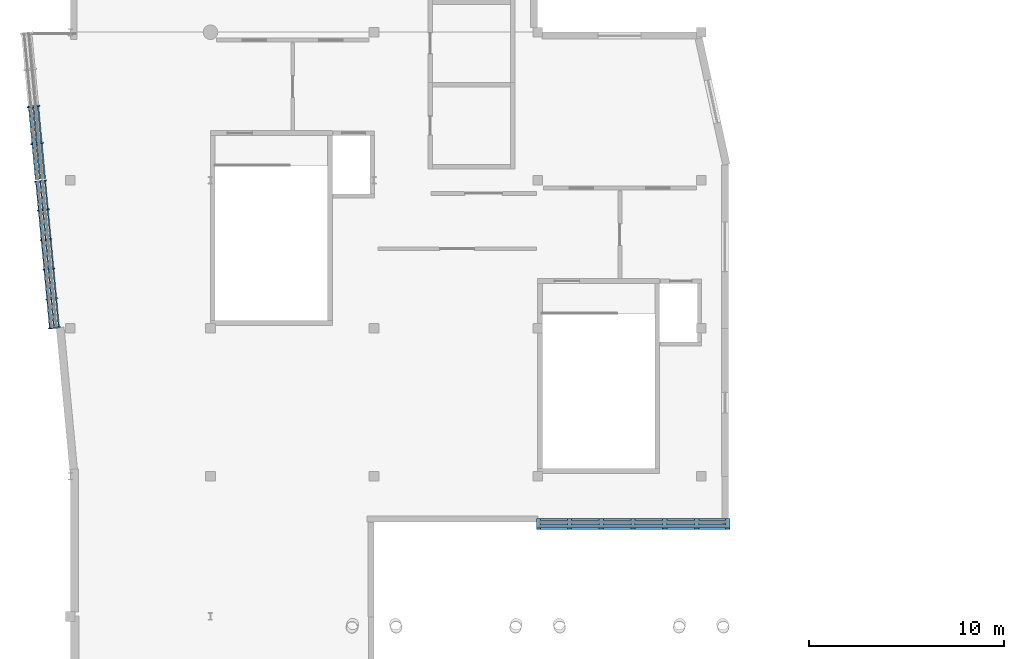
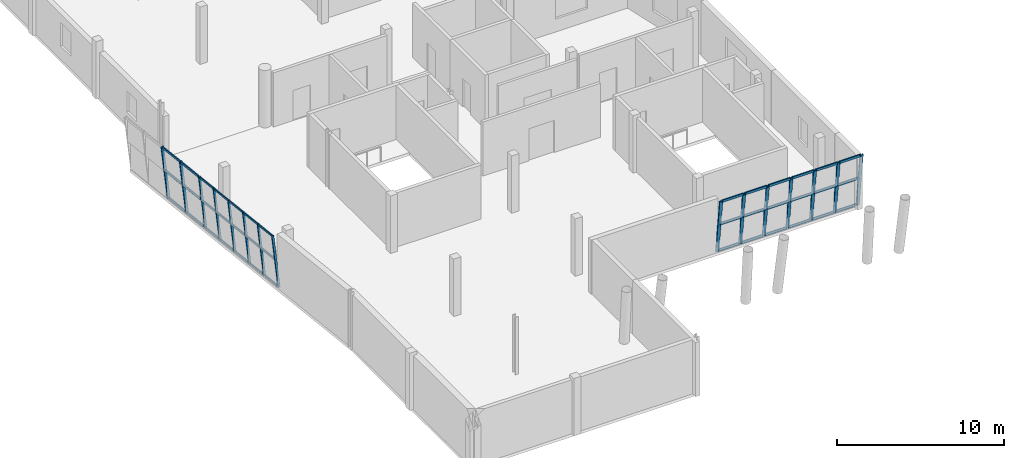
# One storey, part 8 of 17: 54 members, 3 elements without a shape of their own.
"""IFC4 building model written with IfcOpenShell, lengths in metres."""

from ifc_helpers import new_model, si_unit, direction, frame, origin, origin_2d, place, context, subcontext, project, spatial, hollow_rectangle, extrude, material, layer, layer_set, material_profile, profile_set, type_object, element, aggregate, save


model = new_model("IFC4")

# Units and contexts
model_context = context("Model", 3, precision=1e-05, world=origin(), true_north=direction((0.0, 1.0)))
body_context = subcontext(model_context, "Body", "Model", "MODEL_VIEW")
ifc_project = project(units=[si_unit("LENGTHUNIT", "METRE"), si_unit("AREAUNIT", "SQUARE_METRE"), si_unit("VOLUMEUNIT", "CUBIC_METRE"), si_unit("PLANEANGLEUNIT", "RADIAN"), si_unit("MASSUNIT", "GRAM", prefix="KILO")], contexts=[model_context])

# Site, building, storey
site_placement = place(None, origin())
site = spatial("IfcSite", under=ifc_project, at=site_placement, CompositionType="ELEMENT")
building_placement = place(site_placement, origin())
building = spatial("IfcBuilding", under=site, at=building_placement, Name="Xicomal Pleat Aquarium", CompositionType="ELEMENT")
storey_placement = place(building_placement, frame((0.0, 0.0, 19.800048828125)))
storey = spatial("IfcBuildingStorey", under=building, at=storey_placement, Name="L05", CompositionType="ELEMENT", Elevation=19.800048828125)

# Curtain wall, members
ifc_material_1 = material(Name="Bronze anodized aluminium 6063-T6", Category="aluminium")
ifc_layer_1 = layer(ifc_material_1, 0.159912109375)
ifc_layer_set_1 = layer_set([ifc_layer_1], Name="Bronze anodized aluminium 6063-T6")
curtain_wall_type_1 = type_object("IfcCurtainWallType", Name="CW-SYS-05", PredefinedType="NOTDEFINED", material=ifc_layer_set_1)
curtain_wall_1_placement = place(storey_placement, origin())
curtain_wall_1 = element("IfcCurtainWall", 1, at=curtain_wall_1_placement, inside=storey, type_object=curtain_wall_type_1, Name="L05 unitised curtain wall CW-L05-174", PredefinedType="NOTDEFINED")
ifc_material_2 = material(Name="Bronze anodized aluminium 6063-T6", Category="aluminium")
ifc_material_profile_1 = material_profile(ifc_material_2, hollow_rectangle(XDim=0.06494140625, YDim=0.159912109375, WallThickness=0.00390625, at=origin_2d()), Name="ALU MULL 65x160")
ifc_profile_set_1 = profile_set([ifc_material_profile_1], Name="Bronze anodized aluminium 6063-T6")
member_type_1 = type_object("IfcMemberType", Name="CWM-65x160", PredefinedType="MULLION", material=ifc_profile_set_1)
member_1_placement = place(storey_placement, frame((2.4189453125, 22.845458984375, 0.0), z_axis=(-0.117846238756, -0.01114182621, 0.992969346818), x_axis=(-0.186433017067, 0.982404936933, -0.011102704028)))
member_1 = element("IfcMember", 2, at=member_1_placement, type_object=member_type_1, Name="CW-05 mullion 1", PredefinedType="MULLION", context=body_context, shape_type="SweptSolid", body=[
    extrude(hollow_rectangle(XDim=0.06494140625, YDim=0.159912109375, WallThickness=0.00390625, at=origin_2d()), origin(), (0.0, 0.0, 1.0), 3.988037109375),
])
member_2_placement = place(storey_placement, frame((2.27880859375, 24.3330078125, 0.0), z_axis=(-0.117906686938, -0.011080534961, 0.992962856768), x_axis=(-0.185878997839, 0.982509854778, -0.011107809255)))
member_2 = element("IfcMember", 3, at=member_2_placement, type_object=member_type_1, Name="CW-05 mullion 2", PredefinedType="MULLION", context=body_context, shape_type="SweptSolid", body=[
    extrude(hollow_rectangle(XDim=0.06494140625, YDim=0.159912109375, WallThickness=0.00390625, at=origin_2d()), origin(), (0.0, 0.0, 1.0), 3.988037109375),
])
member_3_placement = place(storey_placement, frame((2.135498046875, 25.85302734375, 0.0), z_axis=(-0.117846238756, -0.01114182621, 0.992969346818), x_axis=(-0.186433017067, 0.982404936933, -0.011102704028)))
member_3 = element("IfcMember", 4, at=member_3_placement, type_object=member_type_1, Name="CW-05 mullion 3", PredefinedType="MULLION", context=body_context, shape_type="SweptSolid", body=[
    extrude(hollow_rectangle(XDim=0.06494140625, YDim=0.159912109375, WallThickness=0.00390625, at=origin_2d()), origin(), (0.0, 0.0, 1.0), 3.988037109375),
])
member_4_placement = place(storey_placement, frame((1.992431640625, 27.373046875, 0.0), z_axis=(-0.117906606737, -0.011141745808, 0.992962181348), x_axis=(-0.186384549483, 0.982414069773, -0.01110834042)))
member_4 = element("IfcMember", 5, at=member_4_placement, type_object=member_type_1, Name="CW-05 mullion 4", PredefinedType="MULLION", context=body_context, shape_type="SweptSolid", body=[
    extrude(hollow_rectangle(XDim=0.06494140625, YDim=0.159912109375, WallThickness=0.00390625, at=origin_2d()), origin(), (0.0, 0.0, 1.0), 3.988037109375),
])
member_5_placement = place(storey_placement, frame((1.84912109375, 28.89306640625, 0.0), z_axis=(-0.117846238756, -0.01114182621, 0.992969346818), x_axis=(-0.186433017067, 0.982404936933, -0.011102704028)))
member_5 = element("IfcMember", 6, at=member_5_placement, type_object=member_type_1, Name="CW-05 mullion 5", PredefinedType="MULLION", context=body_context, shape_type="SweptSolid", body=[
    extrude(hollow_rectangle(XDim=0.06494140625, YDim=0.159912109375, WallThickness=0.00390625, at=origin_2d()), origin(), (0.0, 0.0, 1.0), 3.988037109375),
])
member_6_placement = place(storey_placement, frame((1.708984375, 30.380615234375, 0.0), z_axis=(-0.117846238756, -0.01114182621, 0.992969346818), x_axis=(-0.186433017067, 0.982404936933, -0.011102704028)))
member_6 = element("IfcMember", 7, at=member_6_placement, type_object=member_type_1, Name="CW-05 mullion 6", PredefinedType="MULLION", context=body_context, shape_type="SweptSolid", body=[
    extrude(hollow_rectangle(XDim=0.06494140625, YDim=0.159912109375, WallThickness=0.00390625, at=origin_2d()), origin(), (0.0, 0.0, 1.0), 3.988037109375),
])

ifc_material_3 = material(Name="Bronze anodized aluminium 6063-T6", Category="aluminium")
ifc_layer_2 = layer(ifc_material_3, 0.159912109375)
ifc_layer_set_2 = layer_set([ifc_layer_2], Name="Bronze anodized aluminium 6063-T6")
curtain_wall_type_2 = type_object("IfcCurtainWallType", Name="CW-SYS-10", PredefinedType="NOTDEFINED", material=ifc_layer_set_2)
curtain_wall_2_placement = place(storey_placement, origin())
curtain_wall_2 = element("IfcCurtainWall", 8, at=curtain_wall_2_placement, inside=storey, type_object=curtain_wall_type_2, Name="L05 unitised curtain wall CW-L05-175", PredefinedType="NOTDEFINED")
ifc_material_4 = material(Name="Bronze anodized aluminium 6063-T6", Category="aluminium")
ifc_material_profile_2 = material_profile(ifc_material_4, hollow_rectangle(XDim=0.074951171875, YDim=0.199951171875, WallThickness=0.00439453125, at=origin_2d()), Name="ALU MULL 75x200")
ifc_profile_set_2 = profile_set([ifc_material_profile_2], Name="Bronze anodized aluminium 6063-T6")
member_type_2 = type_object("IfcMemberType", Name="CWM-75x200", PredefinedType="MULLION", material=ifc_profile_set_2)
member_7_placement = place(storey_placement, frame((1.52685546875, 32.31298828125, 0.0), z_axis=(-0.117906606737, -0.011141745808, 0.992962181348), x_axis=(-0.186511756254, 0.982389753446, -0.01112371809)))
member_7 = element("IfcMember", 9, at=member_7_placement, type_object=member_type_2, Name="CW-10 mullion 2", PredefinedType="MULLION", context=body_context, shape_type="SweptSolid", body=[
    extrude(hollow_rectangle(XDim=0.074951171875, YDim=0.199951171875, WallThickness=0.00439453125, at=origin_2d()), origin(), (0.0, 0.0, 1.0), 3.988037109375),
])
member_8_placement = place(storey_placement, frame((1.347412109375, 34.212890625, 0.0), z_axis=(-0.117846318917, -0.011080614922, 0.992970022252), x_axis=(-0.186054431186, 0.982476538601, -0.011117541711)))
member_8 = element("IfcMember", 10, at=member_8_placement, type_object=member_type_2, Name="CW-10 mullion 3", PredefinedType="MULLION", context=body_context, shape_type="SweptSolid", body=[
    extrude(hollow_rectangle(XDim=0.074951171875, YDim=0.199951171875, WallThickness=0.00439453125, at=origin_2d()), origin(), (0.0, 0.0, 1.0), 3.988037109375),
])

curtain_wall_3_placement = place(storey_placement, origin())
curtain_wall_3 = element("IfcCurtainWall", 11, at=curtain_wall_3_placement, inside=storey, type_object=curtain_wall_type_1, Name="L05 unitised curtain wall CW-L05-173", PredefinedType="NOTDEFINED")
ifc_material_5 = material(Name="Bronze anodized aluminium 6063-T6", Category="aluminium")
ifc_material_profile_3 = material_profile(ifc_material_5, hollow_rectangle(XDim=0.0849609375, YDim=0.219970703125, WallThickness=0.0048828125, at=origin_2d()), Name="ALU MULL 85x220")
ifc_profile_set_3 = profile_set([ifc_material_profile_3], Name="Bronze anodized aluminium 6063-T6")
member_type_3 = type_object("IfcMemberType", Name="CWM-85x220", PredefinedType="MULLION", material=ifc_profile_set_3)
member_9_placement = place(storey_placement, frame((36.757568359375, 12.97998046875, 0.0), z_axis=(0.0, -0.118396851655, 0.99296635669), x_axis=(0.0, -0.99296635669, -0.118396851655)))
member_9 = element("IfcMember", 12, at=member_9_placement, type_object=member_type_3, Name="CW-05 mullion 1", PredefinedType="MULLION", context=body_context, shape_type="SweptSolid", body=[
    extrude(hollow_rectangle(XDim=0.0849609375, YDim=0.219970703125, WallThickness=0.0048828125, at=origin_2d()), origin(), (0.0, 0.0, 1.0), 3.988037109375),
])
member_10_placement = place(storey_placement, frame((35.166748046875, 12.97998046875, 0.0), z_axis=(0.0, -0.118396851655, 0.99296635669), x_axis=(0.0, -0.99296635669, -0.118396851655)))
member_10 = element("IfcMember", 13, at=member_10_placement, type_object=member_type_3, Name="CW-05 mullion 2", PredefinedType="MULLION", context=body_context, shape_type="SweptSolid", body=[
    extrude(hollow_rectangle(XDim=0.0849609375, YDim=0.219970703125, WallThickness=0.0048828125, at=origin_2d()), origin(), (0.0, 0.0, 1.0), 3.988037109375),
])
member_11_placement = place(storey_placement, frame((33.533203125, 12.97998046875, 0.0), z_axis=(0.0, -0.118396851655, 0.99296635669), x_axis=(0.0, -0.99296635669, -0.118396851655)))
member_11 = element("IfcMember", 14, at=member_11_placement, type_object=member_type_3, Name="CW-05 mullion 3", PredefinedType="MULLION", context=body_context, shape_type="SweptSolid", body=[
    extrude(hollow_rectangle(XDim=0.0849609375, YDim=0.219970703125, WallThickness=0.0048828125, at=origin_2d()), origin(), (0.0, 0.0, 1.0), 3.988037109375),
])
member_12_placement = place(storey_placement, frame((31.89990234375, 12.97998046875, 0.0), z_axis=(0.0, -0.118396851655, 0.99296635669), x_axis=(0.0, -0.99296635669, -0.118396851655)))
member_12 = element("IfcMember", 15, at=member_12_placement, type_object=member_type_3, Name="CW-05 mullion 4", PredefinedType="MULLION", context=body_context, shape_type="SweptSolid", body=[
    extrude(hollow_rectangle(XDim=0.0849609375, YDim=0.219970703125, WallThickness=0.0048828125, at=origin_2d()), origin(), (0.0, 0.0, 1.0), 3.988037109375),
])
member_13_placement = place(storey_placement, frame((30.2666015625, 12.97998046875, 0.0), z_axis=(0.0, -0.118396851655, 0.99296635669), x_axis=(0.0, -0.99296635669, -0.118396851655)))
member_13 = element("IfcMember", 16, at=member_13_placement, type_object=member_type_3, Name="CW-05 mullion 5", PredefinedType="MULLION", context=body_context, shape_type="SweptSolid", body=[
    extrude(hollow_rectangle(XDim=0.0849609375, YDim=0.219970703125, WallThickness=0.0048828125, at=origin_2d()), origin(), (0.0, 0.0, 1.0), 3.988037109375),
])
member_14_placement = place(storey_placement, frame((28.63330078125, 12.97998046875, 0.0), z_axis=(0.0, -0.118396851655, 0.99296635669), x_axis=(0.0, -0.99296635669, -0.118396851655)))
member_14 = element("IfcMember", 17, at=member_14_placement, type_object=member_type_3, Name="CW-05 mullion 6", PredefinedType="MULLION", context=body_context, shape_type="SweptSolid", body=[
    extrude(hollow_rectangle(XDim=0.0849609375, YDim=0.219970703125, WallThickness=0.0048828125, at=origin_2d()), origin(), (0.0, 0.0, 1.0), 3.988037109375),
])
member_15_placement = place(storey_placement, frame((27.04248046875, 12.97998046875, 0.0), z_axis=(0.0, -0.118396851655, 0.99296635669), x_axis=(0.0, -0.99296635669, -0.118396851655)))
member_15 = element("IfcMember", 18, at=member_15_placement, type_object=member_type_3, Name="CW-05 mullion 7", PredefinedType="MULLION", context=body_context, shape_type="SweptSolid", body=[
    extrude(hollow_rectangle(XDim=0.0849609375, YDim=0.219970703125, WallThickness=0.0048828125, at=origin_2d()), origin(), (0.0, 0.0, 1.0), 3.988037109375),
])

# Member
ifc_material_6 = material(Name="Bronze anodized aluminium 6063-T6", Category="aluminium")
ifc_material_profile_4 = material_profile(ifc_material_6, hollow_rectangle(XDim=0.06494140625, YDim=0.1298828125, WallThickness=0.00390625, at=origin_2d()), Name="ALU TRAN 65x130")
ifc_profile_set_4 = profile_set([ifc_material_profile_4], Name="Bronze anodized aluminium 6063-T6")
member_type_4 = type_object("IfcMemberType", Name="CWT-65x130", PredefinedType="USERDEFINED", material=ifc_profile_set_4)
member_16_placement = place(storey_placement, frame((2.412109375, 22.877197265625, 0.032470703125), z_axis=(-0.093769271136, 0.99559395528, 0.0), x_axis=(-0.99559395528, -0.093769271136, 0.0)))
member_16 = element("IfcMember", 19, at=member_16_placement, type_object=member_type_4, Name="CW-05 transom 1.1", ObjectType="TRANSOM", PredefinedType="USERDEFINED", context=body_context, shape_type="SweptSolid", body=[
    extrude(hollow_rectangle(XDim=0.06494140625, YDim=0.1298828125, WallThickness=0.00390625, at=origin_2d()), origin(), (0.0, 0.0, 1.0), 1.429443359375),
])

member_17_placement = place(storey_placement, frame((2.162109375, 22.853759765625, 2.137939453125), z_axis=(-0.093785219073, 0.995592453107, 0.0), x_axis=(-0.995592453107, -0.093785219073, 0.0)))
member_17 = element("IfcMember", 20, at=member_17_placement, type_object=member_type_4, Name="CW-05 transom 1.2", ObjectType="TRANSOM", PredefinedType="USERDEFINED", context=body_context, shape_type="SweptSolid", body=[
    extrude(hollow_rectangle(XDim=0.06494140625, YDim=0.1298828125, WallThickness=0.00390625, at=origin_2d()), origin(), (0.0, 0.0, 1.0), 1.42919921875),
])

member_18_placement = place(storey_placement, frame((1.94970703125, 22.833740234375, 3.927490234375), z_axis=(-0.093785219073, 0.995592453107, 0.0), x_axis=(-0.995592453107, -0.093785219073, 0.0)))
member_18 = element("IfcMember", 21, at=member_18_placement, type_object=member_type_4, Name="CW-05 transom 1.3", ObjectType="TRANSOM", PredefinedType="USERDEFINED", context=body_context, shape_type="SweptSolid", body=[
    extrude(hollow_rectangle(XDim=0.06494140625, YDim=0.1298828125, WallThickness=0.00390625, at=origin_2d()), origin(), (0.0, 0.0, 1.0), 1.42919921875),
])

member_19_placement = place(storey_placement, frame((2.27197265625, 24.364990234375, 0.032470703125), z_axis=(-0.093863248779, 0.995585099592, 0.0), x_axis=(-0.995585099592, -0.093863248779, 0.0)))
member_19 = element("IfcMember", 22, at=member_19_placement, type_object=member_type_4, Name="CW-05 transom 2.1", ObjectType="TRANSOM", PredefinedType="USERDEFINED", context=body_context, shape_type="SweptSolid", body=[
    extrude(hollow_rectangle(XDim=0.06494140625, YDim=0.1298828125, WallThickness=0.00390625, at=origin_2d()), origin(), (0.0, 0.0, 1.0), 1.461669921875),
])

member_20_placement = place(storey_placement, frame((2.02197265625, 24.34130859375, 2.137939453125), z_axis=(-0.093863248779, 0.995585099592, 0.0), x_axis=(-0.995585099592, -0.093863248779, 0.0)))
member_20 = element("IfcMember", 23, at=member_20_placement, type_object=member_type_4, Name="CW-05 transom 2.2", ObjectType="TRANSOM", PredefinedType="USERDEFINED", context=body_context, shape_type="SweptSolid", body=[
    extrude(hollow_rectangle(XDim=0.06494140625, YDim=0.1298828125, WallThickness=0.00390625, at=origin_2d()), origin(), (0.0, 0.0, 1.0), 1.461669921875),
])

member_21_placement = place(storey_placement, frame((1.8095703125, 24.3212890625, 3.927490234375), z_axis=(-0.093863248779, 0.995585099592, 0.0), x_axis=(-0.995585099592, -0.093863248779, 0.0)))
member_21 = element("IfcMember", 24, at=member_21_placement, type_object=member_type_4, Name="CW-05 transom 2.3", ObjectType="TRANSOM", PredefinedType="USERDEFINED", context=body_context, shape_type="SweptSolid", body=[
    extrude(hollow_rectangle(XDim=0.06494140625, YDim=0.1298828125, WallThickness=0.00390625, at=origin_2d()), origin(), (0.0, 0.0, 1.0), 1.461669921875),
])

member_22_placement = place(storey_placement, frame((2.128662109375, 25.885009765625, 0.032470703125), z_axis=(-0.093697699898, 0.995600693568, 0.0), x_axis=(-0.995600693568, -0.093697699898, 0.0)))
member_22 = element("IfcMember", 25, at=member_22_placement, type_object=member_type_4, Name="CW-05 transom 3.1", ObjectType="TRANSOM", PredefinedType="USERDEFINED", context=body_context, shape_type="SweptSolid", body=[
    extrude(hollow_rectangle(XDim=0.06494140625, YDim=0.1298828125, WallThickness=0.00390625, at=origin_2d()), origin(), (0.0, 0.0, 1.0), 1.461669921875),
])

member_23_placement = place(storey_placement, frame((1.878662109375, 25.861328125, 2.137939453125), z_axis=(-0.093697699898, 0.995600693568, 0.0), x_axis=(-0.995600693568, -0.093697699898, 0.0)))
member_23 = element("IfcMember", 26, at=member_23_placement, type_object=member_type_4, Name="CW-05 transom 3.2", ObjectType="TRANSOM", PredefinedType="USERDEFINED", context=body_context, shape_type="SweptSolid", body=[
    extrude(hollow_rectangle(XDim=0.06494140625, YDim=0.1298828125, WallThickness=0.00390625, at=origin_2d()), origin(), (0.0, 0.0, 1.0), 1.461669921875),
])

member_24_placement = place(storey_placement, frame((1.666259765625, 25.84130859375, 3.927490234375), z_axis=(-0.093697699898, 0.995600693568, 0.0), x_axis=(-0.995600693568, -0.093697699898, 0.0)))
member_24 = element("IfcMember", 27, at=member_24_placement, type_object=member_type_4, Name="CW-05 transom 3.3", ObjectType="TRANSOM", PredefinedType="USERDEFINED", context=body_context, shape_type="SweptSolid", body=[
    extrude(hollow_rectangle(XDim=0.06494140625, YDim=0.1298828125, WallThickness=0.00390625, at=origin_2d()), origin(), (0.0, 0.0, 1.0), 1.461669921875),
])

member_25_placement = place(storey_placement, frame((1.985595703125, 27.405029296875, 0.032470703125), z_axis=(-0.093863248779, 0.995585099592, 0.0), x_axis=(-0.995585099592, -0.093863248779, 0.0)))
member_25 = element("IfcMember", 28, at=member_25_placement, type_object=member_type_4, Name="CW-05 transom 4.1", ObjectType="TRANSOM", PredefinedType="USERDEFINED", context=body_context, shape_type="SweptSolid", body=[
    extrude(hollow_rectangle(XDim=0.06494140625, YDim=0.1298828125, WallThickness=0.00390625, at=origin_2d()), origin(), (0.0, 0.0, 1.0), 1.461669921875),
])

member_26_placement = place(storey_placement, frame((1.735595703125, 27.38134765625, 2.137939453125), z_axis=(-0.093863248779, 0.995585099592, 0.0), x_axis=(-0.995585099592, -0.093863248779, 0.0)))
member_26 = element("IfcMember", 29, at=member_26_placement, type_object=member_type_4, Name="CW-05 transom 4.2", ObjectType="TRANSOM", PredefinedType="USERDEFINED", context=body_context, shape_type="SweptSolid", body=[
    extrude(hollow_rectangle(XDim=0.06494140625, YDim=0.1298828125, WallThickness=0.00390625, at=origin_2d()), origin(), (0.0, 0.0, 1.0), 1.461669921875),
])

member_27_placement = place(storey_placement, frame((1.523193359375, 27.361328125, 3.927490234375), z_axis=(-0.093863248779, 0.995585099592, 0.0), x_axis=(-0.995585099592, -0.093863248779, 0.0)))
member_27 = element("IfcMember", 30, at=member_27_placement, type_object=member_type_4, Name="CW-05 transom 4.3", ObjectType="TRANSOM", PredefinedType="USERDEFINED", context=body_context, shape_type="SweptSolid", body=[
    extrude(hollow_rectangle(XDim=0.06494140625, YDim=0.1298828125, WallThickness=0.00390625, at=origin_2d()), origin(), (0.0, 0.0, 1.0), 1.461669921875),
])

member_28_placement = place(storey_placement, frame((1.84228515625, 28.925048828125, 0.032470703125), z_axis=(-0.093785219073, 0.995592453107, 0.0), x_axis=(-0.995592453107, -0.093785219073, 0.0)))
member_28 = element("IfcMember", 31, at=member_28_placement, type_object=member_type_4, Name="CW-05 transom 5.1", ObjectType="TRANSOM", PredefinedType="USERDEFINED", context=body_context, shape_type="SweptSolid", body=[
    extrude(hollow_rectangle(XDim=0.06494140625, YDim=0.1298828125, WallThickness=0.00390625, at=origin_2d()), origin(), (0.0, 0.0, 1.0), 1.42919921875),
])

member_29_placement = place(storey_placement, frame((1.59228515625, 28.9013671875, 2.137939453125), z_axis=(-0.093769271136, 0.99559395528, 0.0), x_axis=(-0.99559395528, -0.093769271136, 0.0)))
member_29 = element("IfcMember", 32, at=member_29_placement, type_object=member_type_4, Name="CW-05 transom 5.2", ObjectType="TRANSOM", PredefinedType="USERDEFINED", context=body_context, shape_type="SweptSolid", body=[
    extrude(hollow_rectangle(XDim=0.06494140625, YDim=0.1298828125, WallThickness=0.00390625, at=origin_2d()), origin(), (0.0, 0.0, 1.0), 1.429443359375),
])

member_30_placement = place(storey_placement, frame((1.3798828125, 28.88134765625, 3.927490234375), z_axis=(-0.093769271136, 0.99559395528, 0.0), x_axis=(-0.99559395528, -0.093769271136, 0.0)))
member_30 = element("IfcMember", 33, at=member_30_placement, type_object=member_type_4, Name="CW-05 transom 5.3", ObjectType="TRANSOM", PredefinedType="USERDEFINED", context=body_context, shape_type="SweptSolid", body=[
    extrude(hollow_rectangle(XDim=0.06494140625, YDim=0.1298828125, WallThickness=0.00390625, at=origin_2d()), origin(), (0.0, 0.0, 1.0), 1.429443359375),
])

aggregate(curtain_wall_1, [member_1, member_2, member_3, member_4, member_5, member_6, member_16, member_17, member_18, member_19, member_20, member_21, member_22, member_23, member_24, member_25, member_26, member_27, member_28, member_29, member_30])

ifc_material_7 = material(Name="Bronze anodized aluminium 6063-T6", Category="aluminium")
ifc_material_profile_5 = material_profile(ifc_material_7, hollow_rectangle(XDim=0.074951171875, YDim=0.14990234375, WallThickness=0.00439453125, at=origin_2d()), Name="ALU TRAN 75x150")
ifc_profile_set_5 = profile_set([ifc_material_profile_5], Name="Bronze anodized aluminium 6063-T6")
member_type_5 = type_object("IfcMemberType", Name="CWT-75x150", PredefinedType="USERDEFINED", material=ifc_profile_set_5)
member_31_placement = place(storey_placement, frame((1.694580078125, 30.4873046875, 0.037353515625), z_axis=(-0.093942934629, 0.995577583633, 0.0), x_axis=(-0.995577583633, -0.093942934629, 0.0)))
member_31 = element("IfcMember", 34, at=member_31_placement, type_object=member_type_5, Name="CW-10 transom 1.1", ObjectType="TRANSOM", PredefinedType="USERDEFINED", context=body_context, shape_type="SweptSolid", body=[
    extrude(hollow_rectangle(XDim=0.074951171875, YDim=0.14990234375, WallThickness=0.00439453125, at=origin_2d()), origin(), (0.0, 0.0, 1.0), 1.7958984375),
])

member_32_placement = place(storey_placement, frame((1.445068359375, 30.463623046875, 2.137939453125), z_axis=(-0.09379548408, 0.995591486086, 0.0), x_axis=(-0.995591486086, -0.09379548408, 0.0)))
member_32 = element("IfcMember", 35, at=member_32_placement, type_object=member_type_5, Name="CW-10 transom 1.2", ObjectType="TRANSOM", PredefinedType="USERDEFINED", context=body_context, shape_type="SweptSolid", body=[
    extrude(hollow_rectangle(XDim=0.074951171875, YDim=0.14990234375, WallThickness=0.00439453125, at=origin_2d()), origin(), (0.0, 0.0, 1.0), 1.7958984375),
])

member_33_placement = place(storey_placement, frame((1.2333984375, 30.443603515625, 3.92236328125), z_axis=(-0.093930221081, 0.995578783205, 0.0), x_axis=(-0.995578783205, -0.093930221081, 0.0)))
member_33 = element("IfcMember", 36, at=member_33_placement, type_object=member_type_5, Name="CW-10 transom 1.3", ObjectType="TRANSOM", PredefinedType="USERDEFINED", context=body_context, shape_type="SweptSolid", body=[
    extrude(hollow_rectangle(XDim=0.074951171875, YDim=0.14990234375, WallThickness=0.00439453125, at=origin_2d()), origin(), (0.0, 0.0, 1.0), 1.796142578125),
])

member_34_placement = place(storey_placement, frame((1.518798828125, 32.349853515625, 0.037353515625), z_axis=(-0.093872791349, 0.995584199877, 0.0), x_axis=(-0.995584199877, -0.093872791349, 0.0)))
member_34 = element("IfcMember", 37, at=member_34_placement, type_object=member_type_5, Name="CW-10 transom 2.1", ObjectType="TRANSOM", PredefinedType="USERDEFINED", context=body_context, shape_type="SweptSolid", body=[
    extrude(hollow_rectangle(XDim=0.074951171875, YDim=0.14990234375, WallThickness=0.00439453125, at=origin_2d()), origin(), (0.0, 0.0, 1.0), 1.83349609375),
])

member_35_placement = place(storey_placement, frame((1.269287109375, 32.326416015625, 2.137939453125), z_axis=(-0.09388523723, 0.995583026287, 0.0), x_axis=(-0.995583026287, -0.09388523723, 0.0)))
member_35 = element("IfcMember", 38, at=member_35_placement, type_object=member_type_5, Name="CW-10 transom 2.2", ObjectType="TRANSOM", PredefinedType="USERDEFINED", context=body_context, shape_type="SweptSolid", body=[
    extrude(hollow_rectangle(XDim=0.074951171875, YDim=0.14990234375, WallThickness=0.00439453125, at=origin_2d()), origin(), (0.0, 0.0, 1.0), 1.833251953125),
])

member_36_placement = place(storey_placement, frame((1.0576171875, 32.306396484375, 3.92236328125), z_axis=(-0.09388523723, 0.995583026287, 0.0), x_axis=(-0.995583026287, -0.09388523723, 0.0)))
member_36 = element("IfcMember", 39, at=member_36_placement, type_object=member_type_5, Name="CW-10 transom 2.3", ObjectType="TRANSOM", PredefinedType="USERDEFINED", context=body_context, shape_type="SweptSolid", body=[
    extrude(hollow_rectangle(XDim=0.074951171875, YDim=0.14990234375, WallThickness=0.00439453125, at=origin_2d()), origin(), (0.0, 0.0, 1.0), 1.833251953125),
])

aggregate(curtain_wall_2, [member_7, member_8, member_31, member_32, member_33, member_34, member_35, member_36])

ifc_material_8 = material(Name="Bronze anodized aluminium 6063-T6", Category="aluminium")
ifc_material_profile_6 = material_profile(ifc_material_8, hollow_rectangle(XDim=0.0849609375, YDim=0.169921875, WallThickness=0.0048828125, at=origin_2d()), Name="ALU TRAN 85x170")
ifc_profile_set_6 = profile_set([ifc_material_profile_6], Name="Bronze anodized aluminium 6063-T6")
member_type_6 = type_object("IfcMemberType", Name="CWT-85x170", PredefinedType="USERDEFINED", material=ifc_profile_set_6)
member_37_placement = place(storey_placement, frame((36.715087890625, 12.974853515625, 0.04248046875), z_axis=(-1.0, 0.0, 0.0), x_axis=(0.0, -1.0, 0.0)))
member_37 = element("IfcMember", 40, at=member_37_placement, type_object=member_type_6, Name="CW-05 transom 1.1", ObjectType="TRANSOM", PredefinedType="USERDEFINED", context=body_context, shape_type="SweptSolid", body=[
    extrude(hollow_rectangle(XDim=0.0849609375, YDim=0.169921875, WallThickness=0.0048828125, at=origin_2d()), origin(), (0.0, 0.0, 1.0), 1.505859375),
])

member_38_placement = place(storey_placement, frame((36.715087890625, 12.72509765625, 2.137939453125), z_axis=(-1.0, 0.0, 0.0), x_axis=(0.0, -1.0, 0.0)))
member_38 = element("IfcMember", 41, at=member_38_placement, type_object=member_type_6, Name="CW-05 transom 1.2", ObjectType="TRANSOM", PredefinedType="USERDEFINED", context=body_context, shape_type="SweptSolid", body=[
    extrude(hollow_rectangle(XDim=0.0849609375, YDim=0.169921875, WallThickness=0.0048828125, at=origin_2d()), origin(), (0.0, 0.0, 1.0), 1.505859375),
])

member_39_placement = place(storey_placement, frame((36.715087890625, 12.512939453125, 3.91748046875), z_axis=(-1.0, 0.0, 0.0), x_axis=(0.0, -1.0, 0.0)))
member_39 = element("IfcMember", 42, at=member_39_placement, type_object=member_type_6, Name="CW-05 transom 1.3", ObjectType="TRANSOM", PredefinedType="USERDEFINED", context=body_context, shape_type="SweptSolid", body=[
    extrude(hollow_rectangle(XDim=0.0849609375, YDim=0.169921875, WallThickness=0.0048828125, at=origin_2d()), origin(), (0.0, 0.0, 1.0), 1.505859375),
])

member_40_placement = place(storey_placement, frame((35.124267578125, 12.974853515625, 0.04248046875), z_axis=(-1.0, 0.0, 0.0), x_axis=(0.0, -1.0, 0.0)))
member_40 = element("IfcMember", 43, at=member_40_placement, type_object=member_type_6, Name="CW-05 transom 2.1", ObjectType="TRANSOM", PredefinedType="USERDEFINED", context=body_context, shape_type="SweptSolid", body=[
    extrude(hollow_rectangle(XDim=0.0849609375, YDim=0.169921875, WallThickness=0.0048828125, at=origin_2d()), origin(), (0.0, 0.0, 1.0), 1.548583984375),
])

member_41_placement = place(storey_placement, frame((35.124267578125, 12.72509765625, 2.137939453125), z_axis=(-1.0, 0.0, 0.0), x_axis=(0.0, -1.0, 0.0)))
member_41 = element("IfcMember", 44, at=member_41_placement, type_object=member_type_6, Name="CW-05 transom 2.2", ObjectType="TRANSOM", PredefinedType="USERDEFINED", context=body_context, shape_type="SweptSolid", body=[
    extrude(hollow_rectangle(XDim=0.0849609375, YDim=0.169921875, WallThickness=0.0048828125, at=origin_2d()), origin(), (0.0, 0.0, 1.0), 1.548583984375),
])

member_42_placement = place(storey_placement, frame((35.124267578125, 12.512939453125, 3.91748046875), z_axis=(-1.0, 0.0, 0.0), x_axis=(0.0, -1.0, 0.0)))
member_42 = element("IfcMember", 45, at=member_42_placement, type_object=member_type_6, Name="CW-05 transom 2.3", ObjectType="TRANSOM", PredefinedType="USERDEFINED", context=body_context, shape_type="SweptSolid", body=[
    extrude(hollow_rectangle(XDim=0.0849609375, YDim=0.169921875, WallThickness=0.0048828125, at=origin_2d()), origin(), (0.0, 0.0, 1.0), 1.548583984375),
])

member_43_placement = place(storey_placement, frame((33.49072265625, 12.974853515625, 0.04248046875), z_axis=(-1.0, 0.0, 0.0), x_axis=(0.0, -1.0, 0.0)))
member_43 = element("IfcMember", 46, at=member_43_placement, type_object=member_type_6, Name="CW-05 transom 3.1", ObjectType="TRANSOM", PredefinedType="USERDEFINED", context=body_context, shape_type="SweptSolid", body=[
    extrude(hollow_rectangle(XDim=0.0849609375, YDim=0.169921875, WallThickness=0.0048828125, at=origin_2d()), origin(), (0.0, 0.0, 1.0), 1.54833984375),
])

member_44_placement = place(storey_placement, frame((33.49072265625, 12.72509765625, 2.137939453125), z_axis=(-1.0, 0.0, 0.0), x_axis=(0.0, -1.0, 0.0)))
member_44 = element("IfcMember", 47, at=member_44_placement, type_object=member_type_6, Name="CW-05 transom 3.2", ObjectType="TRANSOM", PredefinedType="USERDEFINED", context=body_context, shape_type="SweptSolid", body=[
    extrude(hollow_rectangle(XDim=0.0849609375, YDim=0.169921875, WallThickness=0.0048828125, at=origin_2d()), origin(), (0.0, 0.0, 1.0), 1.54833984375),
])

member_45_placement = place(storey_placement, frame((33.49072265625, 12.512939453125, 3.91748046875), z_axis=(-1.0, 0.0, 0.0), x_axis=(0.0, -1.0, 0.0)))
member_45 = element("IfcMember", 48, at=member_45_placement, type_object=member_type_6, Name="CW-05 transom 3.3", ObjectType="TRANSOM", PredefinedType="USERDEFINED", context=body_context, shape_type="SweptSolid", body=[
    extrude(hollow_rectangle(XDim=0.0849609375, YDim=0.169921875, WallThickness=0.0048828125, at=origin_2d()), origin(), (0.0, 0.0, 1.0), 1.54833984375),
])

member_46_placement = place(storey_placement, frame((31.857421875, 12.974853515625, 0.04248046875), z_axis=(-1.0, 0.0, 0.0), x_axis=(0.0, -1.0, 0.0)))
member_46 = element("IfcMember", 49, at=member_46_placement, type_object=member_type_6, Name="CW-05 transom 4.1", ObjectType="TRANSOM", PredefinedType="USERDEFINED", context=body_context, shape_type="SweptSolid", body=[
    extrude(hollow_rectangle(XDim=0.0849609375, YDim=0.169921875, WallThickness=0.0048828125, at=origin_2d()), origin(), (0.0, 0.0, 1.0), 1.54833984375),
])

member_47_placement = place(storey_placement, frame((31.857421875, 12.72509765625, 2.137939453125), z_axis=(-1.0, 0.0, 0.0), x_axis=(0.0, -1.0, 0.0)))
member_47 = element("IfcMember", 50, at=member_47_placement, type_object=member_type_6, Name="CW-05 transom 4.2", ObjectType="TRANSOM", PredefinedType="USERDEFINED", context=body_context, shape_type="SweptSolid", body=[
    extrude(hollow_rectangle(XDim=0.0849609375, YDim=0.169921875, WallThickness=0.0048828125, at=origin_2d()), origin(), (0.0, 0.0, 1.0), 1.54833984375),
])

member_48_placement = place(storey_placement, frame((31.857421875, 12.512939453125, 3.91748046875), z_axis=(-1.0, 0.0, 0.0), x_axis=(0.0, -1.0, 0.0)))
member_48 = element("IfcMember", 51, at=member_48_placement, type_object=member_type_6, Name="CW-05 transom 4.3", ObjectType="TRANSOM", PredefinedType="USERDEFINED", context=body_context, shape_type="SweptSolid", body=[
    extrude(hollow_rectangle(XDim=0.0849609375, YDim=0.169921875, WallThickness=0.0048828125, at=origin_2d()), origin(), (0.0, 0.0, 1.0), 1.54833984375),
])

member_49_placement = place(storey_placement, frame((30.22412109375, 12.974853515625, 0.04248046875), z_axis=(-1.0, 0.0, 0.0), x_axis=(0.0, -1.0, 0.0)))
member_49 = element("IfcMember", 52, at=member_49_placement, type_object=member_type_6, Name="CW-05 transom 5.1", ObjectType="TRANSOM", PredefinedType="USERDEFINED", context=body_context, shape_type="SweptSolid", body=[
    extrude(hollow_rectangle(XDim=0.0849609375, YDim=0.169921875, WallThickness=0.0048828125, at=origin_2d()), origin(), (0.0, 0.0, 1.0), 1.54833984375),
])

member_50_placement = place(storey_placement, frame((30.22412109375, 12.72509765625, 2.137939453125), z_axis=(-1.0, 0.0, 0.0), x_axis=(0.0, -1.0, 0.0)))
member_50 = element("IfcMember", 53, at=member_50_placement, type_object=member_type_6, Name="CW-05 transom 5.2", ObjectType="TRANSOM", PredefinedType="USERDEFINED", context=body_context, shape_type="SweptSolid", body=[
    extrude(hollow_rectangle(XDim=0.0849609375, YDim=0.169921875, WallThickness=0.0048828125, at=origin_2d()), origin(), (0.0, 0.0, 1.0), 1.54833984375),
])

member_51_placement = place(storey_placement, frame((30.22412109375, 12.512939453125, 3.91748046875), z_axis=(-1.0, 0.0, 0.0), x_axis=(0.0, -1.0, 0.0)))
member_51 = element("IfcMember", 54, at=member_51_placement, type_object=member_type_6, Name="CW-05 transom 5.3", ObjectType="TRANSOM", PredefinedType="USERDEFINED", context=body_context, shape_type="SweptSolid", body=[
    extrude(hollow_rectangle(XDim=0.0849609375, YDim=0.169921875, WallThickness=0.0048828125, at=origin_2d()), origin(), (0.0, 0.0, 1.0), 1.54833984375),
])

member_52_placement = place(storey_placement, frame((28.5908203125, 12.974853515625, 0.04248046875), z_axis=(-1.0, 0.0, 0.0), x_axis=(0.0, -1.0, 0.0)))
member_52 = element("IfcMember", 55, at=member_52_placement, type_object=member_type_6, Name="CW-05 transom 6.1", ObjectType="TRANSOM", PredefinedType="USERDEFINED", context=body_context, shape_type="SweptSolid", body=[
    extrude(hollow_rectangle(XDim=0.0849609375, YDim=0.169921875, WallThickness=0.0048828125, at=origin_2d()), origin(), (0.0, 0.0, 1.0), 1.505859375),
])

member_53_placement = place(storey_placement, frame((28.5908203125, 12.72509765625, 2.137939453125), z_axis=(-1.0, 0.0, 0.0), x_axis=(0.0, -1.0, 0.0)))
member_53 = element("IfcMember", 56, at=member_53_placement, type_object=member_type_6, Name="CW-05 transom 6.2", ObjectType="TRANSOM", PredefinedType="USERDEFINED", context=body_context, shape_type="SweptSolid", body=[
    extrude(hollow_rectangle(XDim=0.0849609375, YDim=0.169921875, WallThickness=0.0048828125, at=origin_2d()), origin(), (0.0, 0.0, 1.0), 1.505859375),
])

member_54_placement = place(storey_placement, frame((28.5908203125, 12.512939453125, 3.91748046875), z_axis=(-1.0, 0.0, 0.0), x_axis=(0.0, -1.0, 0.0)))
member_54 = element("IfcMember", 57, at=member_54_placement, type_object=member_type_6, Name="CW-05 transom 6.3", ObjectType="TRANSOM", PredefinedType="USERDEFINED", context=body_context, shape_type="SweptSolid", body=[
    extrude(hollow_rectangle(XDim=0.0849609375, YDim=0.169921875, WallThickness=0.0048828125, at=origin_2d()), origin(), (0.0, 0.0, 1.0), 1.505859375),
])

aggregate(curtain_wall_3, [member_9, member_10, member_11, member_12, member_13, member_14, member_15, member_37, member_38, member_39, member_40, member_41, member_42, member_43, member_44, member_45, member_46, member_47, member_48, member_49, member_50, member_51, member_52, member_53, member_54])

save(model, "model.ifc")
